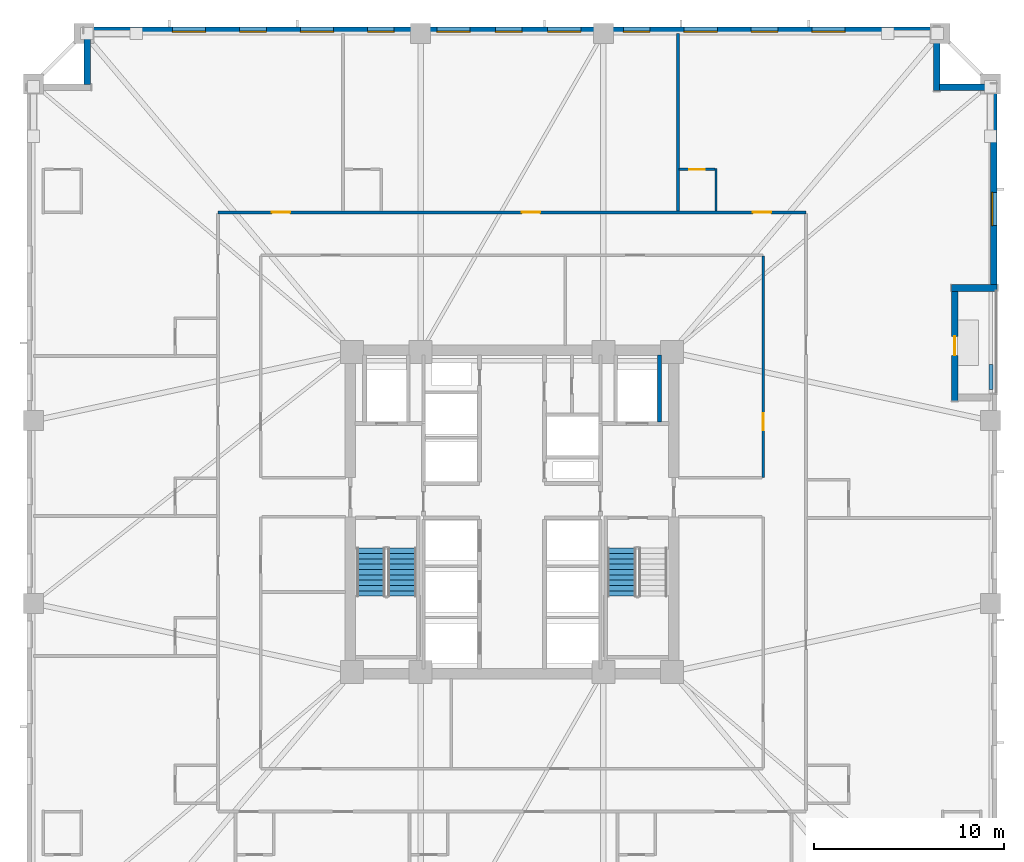
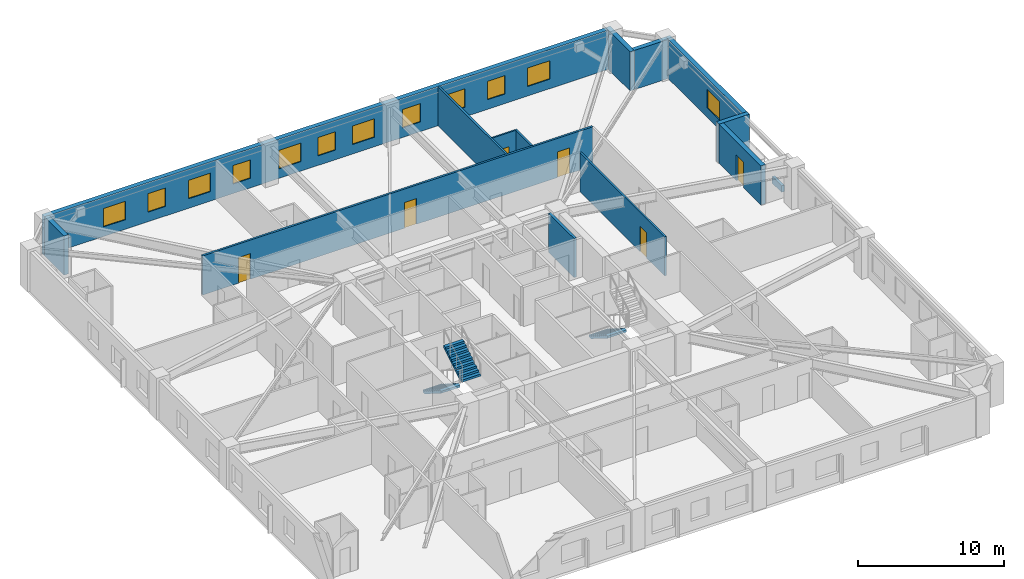
# One storey, part 6 of 11: 14 walls, 12 windows, 6 doors, 3 stair flights, 18 openings, 2 elements without a shape of their own.
"""IFC4 building model written with IfcOpenShell, lengths in metres."""

import ifcopenshell
import ifcopenshell.guid

model = None  # the IFC model being written
_history = None  # IfcOwnerHistory: only IFC2X3 demands one
_inside = {}  # id of a spatial element -> (the spatial element, [elements in it])
_under = {}  # id of a project, library or spatial element -> (it, [spatial elements below it])
_declared = {}  # id of a project -> (the project, [libraries it declares])
_typed = {}  # id of a type object -> (the type object, [elements of that type])
_made_of = {}  # id of a material, layer set ... -> (it, [elements and type objects made of it])


def new_model(schema):
    """Start an empty IFC model of exactly this schema.

    Asked for "IFC4X3", IfcOpenShell would pick the latest addendum, in which some entities
    have other attributes; the version numbers below select the first issue.
    IFC2X3 requires an IfcOwnerHistory on every rooted entity: one is made here for all.
    """
    global model, _history
    if schema == "IFC4X3":
        model = ifcopenshell.file(schema_version=(4, 3, 0, 0))
    else:
        model = ifcopenshell.file(schema=schema)
    _inside.clear()
    _under.clear()
    _declared.clear()
    _typed.clear()
    _made_of.clear()
    _history = None
    if model.schema == "IFC2X3":
        org = make("IfcOrganization", Name="unknown")
        user = make(
            "IfcPersonAndOrganization",
            ThePerson=make("IfcPerson", FamilyName="unknown"),
            TheOrganization=org,
        )
        app = make(
            "IfcApplication",
            ApplicationDeveloper=org,
            Version="unknown",
            ApplicationFullName="unknown",
            ApplicationIdentifier="unknown",
        )
        _history = make(
            "IfcOwnerHistory",
            OwningUser=user,
            OwningApplication=app,
            ChangeAction="ADDED",
            CreationDate=0,
        )
    return model


def make(cls, **values):
    """One entity of the class cls with the attributes given. An attribute that is None is left unset."""
    return model.create_entity(
        cls, **{name: value for name, value in values.items() if value is not None}
    )


def rooted(cls, **values):
    """An entity with a GlobalId (a new one), such as an element, a storey or a relation."""
    return make(cls, GlobalId=ifcopenshell.guid.new(), OwnerHistory=_history, **values)


def si_unit(unit_type, name, prefix=None):
    """IfcSIUnit, for example si_unit("LENGTHUNIT", "METRE", prefix="MILLI")."""
    return make("IfcSIUnit", UnitType=unit_type, Prefix=prefix, Name=name)


def assignment(units):
    """IfcUnitAssignment: the units of a project."""
    return None if units is None else make("IfcUnitAssignment", Units=units)


def point(xyz):
    """IfcCartesianPoint."""
    return None if xyz is None else make("IfcCartesianPoint", Coordinates=xyz)


def direction(xyz):
    """IfcDirection."""
    return None if xyz is None else make("IfcDirection", DirectionRatios=xyz)


def frame(location, z_axis=None, x_axis=None):
    """IfcAxis2Placement3D, a coordinate frame: its origin and axes. An axis left out is left unset."""
    return make(
        "IfcAxis2Placement3D",
        Location=point(location),
        Axis=direction(z_axis),
        RefDirection=direction(x_axis),
    )


def frame_2d(location, x_axis=None):
    """IfcAxis2Placement2D, a coordinate frame in the plane: its origin and x axis."""
    return make(
        "IfcAxis2Placement2D", Location=point(location), RefDirection=direction(x_axis)
    )


def origin():
    """The frame at (0, 0, 0) with its axes left unset."""
    return frame((0.0, 0.0, 0.0))


def place(relative_to, where):
    """IfcLocalPlacement: puts the frame where relative to a parent placement (None: the world)."""
    return make(
        "IfcLocalPlacement", PlacementRelTo=relative_to, RelativePlacement=where
    )


def context(
    kind, dimensions, precision=None, world=None, true_north=None, identifier=None
):
    """IfcGeometricRepresentationContext, for example the 3D "Model" context."""
    return make(
        "IfcGeometricRepresentationContext",
        ContextIdentifier=identifier,
        ContextType=kind,
        CoordinateSpaceDimension=dimensions,
        Precision=precision,
        WorldCoordinateSystem=world,
        TrueNorth=true_north,
    )


def subcontext(parent, identifier, kind, view, scale=None):
    """IfcGeometricRepresentationSubContext, for example "Body" below "Model"."""
    return make(
        "IfcGeometricRepresentationSubContext",
        ContextIdentifier=identifier,
        ContextType=kind,
        ParentContext=parent,
        TargetScale=scale,
        TargetView=view,
    )


def project(units=None, contexts=None):
    """IfcProject with its units and contexts."""
    return rooted(
        "IfcProject",
        Name="project",
        RepresentationContexts=contexts,
        UnitsInContext=assignment(units),
    )


def spatial(cls, under=None, at=None, **own):
    """A site, building, storey or space (cls), placed at a placement, below another one or the project."""
    s = rooted(cls, ObjectPlacement=at, **own)
    if under is not None:
        _under.setdefault(under.id(), (under, []))[1].append(s)
    return s


def polyline(points):
    """IfcPolyline through the points."""
    return make("IfcPolyline", Points=[point(p) for p in points])


def profile(cls, at=None, kind="AREA", **sizes):
    """A parametric profile (cls). Its sizes go by their IFC names, for example OverallWidth=200.0."""
    return make(cls, ProfileType=kind, Position=at, **sizes)


def rectangle(**sizes):
    """IfcRectangleProfileDef."""
    return profile("IfcRectangleProfileDef", **sizes)


def outline(outer, holes=None, kind="AREA"):
    """IfcArbitraryClosedProfileDef: a profile drawn as a closed curve; with holes, ...WithVoids."""
    if holes is None:
        return make("IfcArbitraryClosedProfileDef", ProfileType=kind, OuterCurve=outer)
    return make(
        "IfcArbitraryProfileDefWithVoids",
        ProfileType=kind,
        OuterCurve=outer,
        InnerCurves=holes,
    )


def extrude(swept, where, along, depth):
    """IfcExtrudedAreaSolid: the profile swept, set in the frame where, extruded along a direction by depth."""
    return make(
        "IfcExtrudedAreaSolid",
        SweptArea=swept,
        Position=where,
        ExtrudedDirection=direction(along),
        Depth=depth,
    )


def shape(context_of_items, identifier, shape_type, items):
    """IfcShapeRepresentation: the items that make up one representation, for example the "Body"."""
    return make(
        "IfcShapeRepresentation",
        ContextOfItems=context_of_items,
        RepresentationIdentifier=identifier,
        RepresentationType=shape_type,
        Items=items,
    )


def material(Name=None, Category=None):
    """IfcMaterial."""
    return make("IfcMaterial", Name=Name, Category=Category)


def layer(
    of_material, thickness, ventilated=None, Name=None, Category=None, Priority=None
):
    """IfcMaterialLayer: one layer of a wall or slab, of a material (None: an air gap)."""
    return make(
        "IfcMaterialLayer",
        Material=of_material,
        LayerThickness=thickness,
        IsVentilated=ventilated,
        Name=Name,
        Category=Category,
        Priority=Priority,
    )


def layer_set(layers, Name=None):
    """IfcMaterialLayerSet."""
    return make("IfcMaterialLayerSet", MaterialLayers=layers, LayerSetName=Name)


def made_of(thing, what):
    """Note that an element or type object is made of a material, layer set ...; save() writes the relation."""
    if what is not None:
        _made_of.setdefault(what.id(), (what, []))[1].append(thing)
    return thing


def type_object(cls, material=None, **own):
    """A type object (cls), such as IfcWallType, which elements share."""
    return made_of(rooted(cls, **own), material)


def element(
    cls,
    number,
    at=None,
    inside=None,
    cuts=None,
    type_object=None,
    material=None,
    context=None,
    identifier="Body",
    shape_type=None,
    held_by="IfcProductDefinitionShape",
    body=None,
    shapes=None,
    **own,
):
    """One element of the class cls, such as IfcWall. Its Tag is "e" and its number.

    at: its placement. inside: the storey or other place that contains it. cuts: it is an
    opening in that element (IfcRelVoidsElement). A single representation is given by context,
    identifier, shape_type and body (its items); several are given by shapes. held_by: the class
    of the entity that holds the representations. save() writes the other relations.
    """
    e = rooted(cls, Tag="e%d" % number, ObjectPlacement=at, **own)
    if body is not None:
        shapes = [shape(context, identifier, shape_type, body)]
    if shapes is not None:
        e.Representation = make(held_by, Representations=shapes)
    if inside is not None:
        _inside.setdefault(inside.id(), (inside, []))[1].append(e)
    if cuts is not None:
        rooted(
            "IfcRelVoidsElement", RelatingBuildingElement=cuts, RelatedOpeningElement=e
        )
    if type_object is not None:
        _typed.setdefault(type_object.id(), (type_object, []))[1].append(e)
    return made_of(e, material)


def fill(opening, filler):
    """IfcRelFillsElement: the door or window that sits in an opening."""
    return rooted(
        "IfcRelFillsElement",
        RelatingOpeningElement=opening,
        RelatedBuildingElement=filler,
    )


def aggregate(whole, parts):
    """IfcRelAggregates: a whole, such as a stair, and the parts it consists of."""
    return rooted("IfcRelAggregates", RelatingObject=whole, RelatedObjects=parts)


def save(model, path):
    """Write the relations noted so far, then the file.

    IfcRelAggregates (storeys below a building ...), IfcRelContainedInSpatialStructure (elements
    in a storey), IfcRelDefinesByType, IfcRelAssociatesMaterial and IfcRelDeclares: one each for
    every whole, place, type object, material and project.
    """
    for whole, parts in _under.values():
        aggregate(whole, parts)
    for where, things in _inside.values():
        rooted(
            "IfcRelContainedInSpatialStructure",
            RelatedElements=things,
            RelatingStructure=where,
        )
    for kind, things in _typed.values():
        rooted("IfcRelDefinesByType", RelatedObjects=things, RelatingType=kind)
    for what, things in _made_of.values():
        rooted("IfcRelAssociatesMaterial", RelatedObjects=things, RelatingMaterial=what)
    for by, libraries in _declared.values():
        rooted("IfcRelDeclares", RelatingContext=by, RelatedDefinitions=libraries)
    model.write(path)


model = new_model("IFC4")

# Units and contexts
model_context = context("Model", 3, precision=1e-05, world=origin(), true_north=direction((0.0, 1.0)))
body_context = subcontext(model_context, "Body", "Model", "MODEL_VIEW")
ifc_project = project(units=[si_unit("LENGTHUNIT", "METRE"), si_unit("AREAUNIT", "SQUARE_METRE"), si_unit("VOLUMEUNIT", "CUBIC_METRE"), si_unit("PLANEANGLEUNIT", "RADIAN"), si_unit("MASSUNIT", "GRAM", prefix="KILO")], contexts=[model_context])

# Site, building, storey
site_placement = place(None, origin())
site = spatial("IfcSite", under=ifc_project, at=site_placement, CompositionType="ELEMENT")
building_placement = place(site_placement, origin())
building = spatial("IfcBuilding", under=site, at=building_placement, Name="Cairnveth Concourse Tower", CompositionType="ELEMENT")
storey_placement = place(building_placement, frame((0.0, 0.0, 79.5)))
storey = spatial("IfcBuildingStorey", under=building, at=storey_placement, Name="L21", CompositionType="ELEMENT", Elevation=79.5)

# Wall, openings, doors
ifc_material_1 = material(Name="Gypsum Plasterboard Partition", Category="gypsum")
ifc_layer_1 = layer(ifc_material_1, 0.159912109375)
ifc_layer_set_1 = layer_set([ifc_layer_1], Name="Gypsum Plasterboard Partition")
wall_type_1 = type_object("IfcWallType", Name="ACOUSTIC PARTY WALL 180", PredefinedType="PARTITIONING", material=ifc_layer_set_1)
wall_1_placement = place(storey_placement, frame((36.550048828125, 54.75, 0.0), z_axis=(0.0, 0.0, 1.0), x_axis=(1.0, 0.0, 0.0)))
wall_1 = element("IfcWall", 1, at=wall_1_placement, inside=storey, type_object=wall_type_1, Name="Interior Wall IW-L21-039", PredefinedType="PARTITIONING", context=body_context, shape_type="SweptSolid", body=[
    extrude(rectangle(XDim=30.89990234375, YDim=0.159912109375, at=frame_2d((15.449951171875, 0.0))), origin(), (0.0, 0.0, 1.0), 3.280029296875),
])
opening_1_placement = place(wall_1_placement, frame((2.830078125, 0.0, 0.0)))
opening_1 = element("IfcOpeningElement", 2, at=opening_1_placement, cuts=wall_1, Name="Opening ID09", PredefinedType="OPENING", context=body_context, shape_type="SweptSolid", body=[
    extrude(rectangle(XDim=0.9599609375, YDim=2.14990234375, at=frame_2d((0.47998046875, 1.074951171875))), frame((0.0, 0.08984375, 0.0), z_axis=(0.0, -1.0, 0.0), x_axis=(1.0, 0.0, 0.0)), (0.0, 0.0, 1.0), 0.179931640625),
])
opening_2_placement = place(wall_1_placement, frame((15.965087890625, 0.0, 0.0)))
opening_2 = element("IfcOpeningElement", 3, at=opening_2_placement, cuts=wall_1, Name="Opening ID09", PredefinedType="OPENING", context=body_context, shape_type="SweptSolid", body=[
    extrude(rectangle(XDim=0.9599609375, YDim=2.14990234375, at=frame_2d((0.47998046875, 1.074951171875))), frame((0.0, 0.08984375, 0.0), z_axis=(0.0, -1.0, 0.0), x_axis=(1.0, 0.0, 0.0)), (0.0, 0.0, 1.0), 0.179931640625),
])
opening_3_placement = place(wall_1_placement, frame((28.10498046875, 0.0, 0.0)))
opening_3 = element("IfcOpeningElement", 4, at=opening_3_placement, cuts=wall_1, Name="Opening ID09", PredefinedType="OPENING", context=body_context, shape_type="SweptSolid", body=[
    extrude(rectangle(XDim=0.9599609375, YDim=2.14990234375, at=frame_2d((0.47998046875, 1.074951171875))), frame((0.0, 0.08984375, 0.0), z_axis=(0.0, -1.0, 0.0), x_axis=(1.0, 0.0, 0.0)), (0.0, 0.0, 1.0), 0.179931640625),
])
ifc_material_2 = material(Name="Solid Core Hardwood Timber Leaf", Category="wood")
door_type_1 = type_object("IfcDoorType", Name="HOTEL ENTRANCE DOOR 960X2150", OperationType="NOTDEFINED", PredefinedType="DOOR", material=ifc_material_2)
door_1_placement = place(opening_1_placement, origin())
door_1 = element("IfcDoor", 5, at=door_1_placement, inside=storey, type_object=door_type_1, Name="Hotel Room Door L21-N1", OperationType="SINGLE_SWING_RIGHT", OverallHeight=2.14990234375, OverallWidth=0.9599609375, PredefinedType="DOOR", context=body_context, shape_type="SweptSolid", body=[
    extrude(rectangle(XDim=0.9599609375, YDim=2.14990234375, at=frame_2d((0.47998046875, 1.074951171875))), frame((0.0, 0.02490234375, 0.0), z_axis=(0.0, -1.0, 0.0), x_axis=(1.0, 0.0, 0.0)), (0.0, 0.0, 1.0), 0.050048828125),
])
fill(opening_1, door_1)
door_2_placement = place(opening_2_placement, origin())
door_2 = element("IfcDoor", 6, at=door_2_placement, inside=storey, type_object=door_type_1, Name="Hotel Room Door L21-N2", OperationType="SINGLE_SWING_RIGHT", OverallHeight=2.14990234375, OverallWidth=0.9599609375, PredefinedType="DOOR", context=body_context, shape_type="SweptSolid", body=[
    extrude(rectangle(XDim=0.9599609375, YDim=2.14990234375, at=frame_2d((0.47998046875, 1.074951171875))), frame((0.0, 0.02490234375, 0.0), z_axis=(0.0, -1.0, 0.0), x_axis=(1.0, 0.0, 0.0)), (0.0, 0.0, 1.0), 0.050048828125),
])
fill(opening_2, door_2)
door_3_placement = place(opening_3_placement, origin())
door_3 = element("IfcDoor", 7, at=door_3_placement, inside=storey, type_object=door_type_1, Name="Hotel Room Door L21-N3", OperationType="SINGLE_SWING_RIGHT", OverallHeight=2.14990234375, OverallWidth=0.9599609375, PredefinedType="DOOR", context=body_context, shape_type="SweptSolid", body=[
    extrude(rectangle(XDim=0.9599609375, YDim=2.14990234375, at=frame_2d((0.47998046875, 1.074951171875))), frame((0.0, 0.02490234375, 0.0), z_axis=(0.0, -1.0, 0.0), x_axis=(1.0, 0.0, 0.0)), (0.0, 0.0, 1.0), 0.050048828125),
])
fill(opening_3, door_3)

# Walls
wall_2_placement = place(storey_placement, frame((60.719970703125, 54.81494140625, 0.0), z_axis=(0.0, 0.0, 1.0), x_axis=(0.0, 1.0, 0.0)))
element("IfcWall", 8, at=wall_2_placement, inside=storey, type_object=wall_type_1, Name="Interior Wall IW-L21-080", PredefinedType="PARTITIONING", context=body_context, shape_type="SweptSolid", body=[
    extrude(rectangle(XDim=9.340087890625, YDim=0.159912109375, at=frame_2d((4.669921875, 0.0))), origin(), (0.0, 0.0, 1.0), 3.280029296875),
])
ifc_material_3 = material(Name="Concrete N50 (50 MPa)", Category="concrete")
ifc_layer_2 = layer(ifc_material_3, 0.199951171875)
ifc_layer_set_2 = layer_set([ifc_layer_2], Name="Concrete N50 (50 MPa)")
wall_type_2 = type_object("IfcWallType", Name="FIRE SHAFT WALL 200", PredefinedType="SOLIDWALL", material=ifc_layer_set_2)
wall_3_placement = place(storey_placement, frame((59.75, 43.735107421875, 0.0), z_axis=(0.0, 0.0, 1.0), x_axis=(0.0, 1.0, 0.0)))
element("IfcWall", 9, at=wall_3_placement, inside=storey, type_object=wall_type_2, Name="Interior Wall IW-L21-024", PredefinedType="SOLIDWALL", context=body_context, shape_type="SweptSolid", body=[
    extrude(rectangle(XDim=3.5048828125, YDim=0.199951171875, at=frame_2d((1.75244140625, 0.0))), origin(), (0.0, 0.0, 1.0), 3.280029296875),
])

# Wall, opening, door
ifc_layer_3 = layer(ifc_material_1, 0.139892578125)
ifc_layer_set_3 = layer_set([ifc_layer_3], Name="Gypsum Plasterboard Partition")
wall_type_3 = type_object("IfcWallType", Name="GYPSUM STUD PARTITION 140", PredefinedType="PARTITIONING", material=ifc_layer_set_3)
wall_4_placement = place(storey_placement, frame((65.199951171875, 40.800048828125, 0.0), z_axis=(0.0, 0.0, 1.0), x_axis=(0.0, 1.0, 0.0)))
wall_4 = element("IfcWall", 10, at=wall_4_placement, inside=storey, type_object=wall_type_3, Name="Interior Wall IW-L21-049", PredefinedType="PARTITIONING", context=body_context, shape_type="SweptSolid", body=[
    extrude(rectangle(XDim=11.64501953125, YDim=0.139892578125, at=frame_2d((5.822509765625, 0.0))), origin(), (0.0, 0.0, 1.0), 3.280029296875),
])
opening_4_placement = place(wall_4_placement, frame((2.5, 0.0, 0.0)))
opening_4 = element("IfcOpeningElement", 11, at=opening_4_placement, cuts=wall_4, Name="Opening ID18", PredefinedType="OPENING", context=body_context, shape_type="SweptSolid", body=[
    extrude(rectangle(XDim=0.8798828125, YDim=2.10009765625, at=frame_2d((0.43994140625, 1.050048828125))), frame((0.0, 0.079833984375, 0.0), z_axis=(0.0, -1.0, 0.0), x_axis=(1.0, 0.0, 0.0)), (0.0, 0.0, 1.0), 0.159912109375),
])
door_type_2 = type_object("IfcDoorType", Name="INTERIOR SINGLE DOOR 880X2100", OperationType="NOTDEFINED", PredefinedType="DOOR", material=ifc_material_2)
door_4_placement = place(opening_4_placement, origin())
door_4 = element("IfcDoor", 12, at=door_4_placement, inside=storey, type_object=door_type_2, Name="Interior Door DR-L21-022", OperationType="SINGLE_SWING_RIGHT", OverallHeight=2.10009765625, OverallWidth=0.8798828125, PredefinedType="DOOR", context=body_context, shape_type="SweptSolid", body=[
    extrude(rectangle(XDim=0.8798828125, YDim=2.10009765625, at=frame_2d((0.43994140625, 1.050048828125))), frame((0.0, 0.02490234375, 0.0), z_axis=(0.0, -1.0, 0.0), x_axis=(1.0, 0.0, 0.0)), (0.0, 0.0, 1.0), 0.050048828125),
])
fill(opening_4, door_4)

# Walls
ifc_material_4 = material(Name="Dressed Melbourne Bluestone Cladding", Category="masonry")
ifc_layer_4 = layer(ifc_material_4, 0.219970703125)
ifc_layer_set_4 = layer_set([ifc_layer_4], Name="Dressed Melbourne Bluestone Cladding")
wall_type_4 = type_object("IfcWallType", Name="TERRACE PLANTER CURB WALL 220", PredefinedType="PARAPET", material=ifc_layer_set_4)
wall_5_placement = place(storey_placement, frame((77.179931640625, 45.449951171875, 0.0), z_axis=(0.0, 0.0, 1.0), x_axis=(0.0, 1.0, 0.0)))
element("IfcWall", 13, at=wall_5_placement, inside=storey, type_object=wall_type_4, Name="Exterior Wall PLNT-L21-TERR", PredefinedType="PARAPET", context=body_context, shape_type="SweptSolid", body=[
    extrude(rectangle(XDim=1.300048828125, YDim=0.219970703125, at=frame_2d((0.64990234375, 0.0))), origin(), (0.0, 0.0, 1.0), 0.550048828125),
])
ifc_layer_5 = layer(ifc_material_1, 0.1298828125)
ifc_layer_set_5 = layer_set([ifc_layer_5], Name="Gypsum Plasterboard Partition")
wall_type_5 = type_object("IfcWallType", Name="WET AREA PARTITION 140", PredefinedType="PLUMBINGWALL", material=ifc_layer_set_5)
wall_6_placement = place(storey_placement, frame((62.719970703125, 54.81494140625, 0.0), z_axis=(0.0, 0.0, 1.0), x_axis=(0.0, 1.0, 0.0)))
element("IfcWall", 14, at=wall_6_placement, inside=storey, type_object=wall_type_5, Name="Interior Wall IW-L21-081", PredefinedType="PLUMBINGWALL", context=body_context, shape_type="SweptSolid", body=[
    extrude(rectangle(XDim=2.235107421875, YDim=0.1298828125, at=frame_2d((1.11767578125, 0.0))), origin(), (0.0, 0.0, 1.0), 3.280029296875),
])

# Wall, opening, door
wall_7_placement = place(storey_placement, frame((60.784912109375, 57.0, 0.0), z_axis=(0.0, 0.0, 1.0), x_axis=(1.0, 0.0, 0.0)))
wall_7 = element("IfcWall", 15, at=wall_7_placement, inside=storey, type_object=wall_type_5, Name="Interior Wall IW-L21-082", PredefinedType="PLUMBINGWALL", context=body_context, shape_type="SweptSolid", body=[
    extrude(rectangle(XDim=1.885009765625, YDim=0.1298828125, at=frame_2d((0.9423828125, 0.0))), origin(), (0.0, 0.0, 1.0), 3.280029296875),
])
opening_5_placement = place(wall_7_placement, frame((0.52490234375, 0.0, 0.0)))
opening_5 = element("IfcOpeningElement", 16, at=opening_5_placement, cuts=wall_7, Name="Opening ID22", PredefinedType="OPENING", context=body_context, shape_type="SweptSolid", body=[
    extrude(rectangle(XDim=0.820068359375, YDim=2.10009765625, at=frame_2d((0.41015625, 1.050048828125))), frame((0.0, 0.074951171875, 0.0), z_axis=(0.0, -1.0, 0.0), x_axis=(1.0, 0.0, 0.0)), (0.0, 0.0, 1.0), 0.14990234375),
])
door_type_3 = type_object("IfcDoorType", Name="INTERIOR WC DOOR 820X2100", OperationType="NOTDEFINED", PredefinedType="DOOR", material=ifc_material_2)
door_5_placement = place(opening_5_placement, origin())
door_5 = element("IfcDoor", 17, at=door_5_placement, inside=storey, type_object=door_type_3, Name="En-Suite Door L21-N3", OperationType="SINGLE_SWING_LEFT", OverallHeight=2.10009765625, OverallWidth=0.820068359375, PredefinedType="DOOR", context=body_context, shape_type="SweptSolid", body=[
    extrude(rectangle(XDim=0.820068359375, YDim=2.10009765625, at=frame_2d((0.41015625, 1.050048828125))), frame((0.0, 0.02490234375, 0.0), z_axis=(0.0, -1.0, 0.0), x_axis=(1.0, 0.0, 0.0)), (0.0, 0.0, 1.0), 0.050048828125),
])
fill(opening_5, door_5)

# Wall
ifc_material_5 = material(Name="Hawthorn Red-Ochre Fired Clay Brick Masonry", Category="masonry")
ifc_layer_6 = layer(ifc_material_5, 0.360107421875)
ifc_layer_set_6 = layer_set([ifc_layer_6], Name="Hawthorn Red-Ochre Fired Clay Brick Masonry")
wall_type_6 = type_object("IfcWallType", Name="ZONE 1 BRICK PIER SPANDREL WALL 360", PredefinedType="SOLIDWALL", material=ifc_layer_set_6)
wall_8_placement = place(storey_placement, frame((29.679931640625, 61.47802734375, 0.0), z_axis=(0.0, 0.0, 1.0), x_axis=(0.0, 1.0, 0.0)))
element("IfcWall", 18, at=wall_8_placement, inside=storey, type_object=wall_type_6, Name="Exterior Wall EW-L21-S08", PredefinedType="SOLIDWALL", context=body_context, shape_type="SweptSolid", body=[
    extrude(rectangle(XDim=2.68408203125, YDim=0.360107421875, at=frame_2d((1.342041015625, 0.0))), origin(), (0.0, 0.0, 1.0), 3.280029296875),
])

# Wall, openings, windows
wall_9_placement = place(storey_placement, frame((29.5, 64.320068359375, 0.0), z_axis=(0.0, 0.0, 1.0), x_axis=(1.0, 0.0, 0.0)))
wall_9 = element("IfcWall", 19, at=wall_9_placement, inside=storey, type_object=wall_type_6, Name="Exterior Wall EW-L21-S09", PredefinedType="SOLIDWALL", context=body_context, shape_type="SweptSolid", body=[
    extrude(rectangle(XDim=44.662109375, YDim=0.360107421875, at=frame_2d((22.3310546875, 0.0))), origin(), (0.0, 0.0, 1.0), 3.280029296875),
])
opening_6_placement = place(wall_9_placement, frame((4.655029296875, 0.0, 0.800048828125)))
opening_6 = element("IfcOpeningElement", 20, at=opening_6_placement, cuts=wall_9, Name="Opening W06", PredefinedType="OPENING", context=body_context, shape_type="SweptSolid", body=[
    extrude(rectangle(XDim=1.75, YDim=1.5439453125, at=frame_2d((0.875, 0.77197265625))), frame((0.0, 0.18994140625, 0.0), z_axis=(0.0, -1.0, 0.0), x_axis=(1.0, 0.0, 0.0)), (0.0, 0.0, 1.0), 0.380126953125),
])
opening_7_placement = place(wall_9_placement, frame((8.190185546875, 0.0, 0.800048828125)))
opening_7 = element("IfcOpeningElement", 21, at=opening_7_placement, cuts=wall_9, Name="Opening W05", PredefinedType="OPENING", context=body_context, shape_type="SweptSolid", body=[
    extrude(rectangle(XDim=1.39990234375, YDim=1.5439453125, at=frame_2d((0.699951171875, 0.77197265625))), frame((0.0, 0.18994140625, 0.0), z_axis=(0.0, -1.0, 0.0), x_axis=(1.0, 0.0, 0.0)), (0.0, 0.0, 1.0), 0.380126953125),
])
opening_8_placement = place(wall_9_placement, frame((11.37548828125, 0.0, 0.800048828125)))
opening_8 = element("IfcOpeningElement", 22, at=opening_8_placement, cuts=wall_9, Name="Opening W06", PredefinedType="OPENING", context=body_context, shape_type="SweptSolid", body=[
    extrude(rectangle(XDim=1.75, YDim=1.5439453125, at=frame_2d((0.875, 0.77197265625))), frame((0.0, 0.18994140625, 0.0), z_axis=(0.0, -1.0, 0.0), x_axis=(1.0, 0.0, 0.0)), (0.0, 0.0, 1.0), 0.380126953125),
])
opening_9_placement = place(wall_9_placement, frame((14.91064453125, 0.0, 0.800048828125)))
opening_9 = element("IfcOpeningElement", 23, at=opening_9_placement, cuts=wall_9, Name="Opening W05", PredefinedType="OPENING", context=body_context, shape_type="SweptSolid", body=[
    extrude(rectangle(XDim=1.39990234375, YDim=1.5439453125, at=frame_2d((0.699951171875, 0.77197265625))), frame((0.0, 0.18994140625, 0.0), z_axis=(0.0, -1.0, 0.0), x_axis=(1.0, 0.0, 0.0)), (0.0, 0.0, 1.0), 0.380126953125),
])
opening_10_placement = place(wall_9_placement, frame((18.5458984375, 0.0, 0.800048828125)))
opening_10 = element("IfcOpeningElement", 24, at=opening_10_placement, cuts=wall_9, Name="Opening W06", PredefinedType="OPENING", context=body_context, shape_type="SweptSolid", body=[
    extrude(rectangle(XDim=1.75, YDim=1.5439453125, at=frame_2d((0.875, 0.77197265625))), frame((0.0, 0.18994140625, 0.0), z_axis=(0.0, -1.0, 0.0), x_axis=(1.0, 0.0, 0.0)), (0.0, 0.0, 1.0), 0.380126953125),
])
opening_11_placement = place(wall_9_placement, frame((21.631103515625, 0.0, 0.800048828125)))
opening_11 = element("IfcOpeningElement", 25, at=opening_11_placement, cuts=wall_9, Name="Opening W05", PredefinedType="OPENING", context=body_context, shape_type="SweptSolid", body=[
    extrude(rectangle(XDim=1.39990234375, YDim=1.5439453125, at=frame_2d((0.699951171875, 0.77197265625))), frame((0.0, 0.18994140625, 0.0), z_axis=(0.0, -1.0, 0.0), x_axis=(1.0, 0.0, 0.0)), (0.0, 0.0, 1.0), 0.380126953125),
])
opening_12_placement = place(wall_9_placement, frame((24.3662109375, 0.0, 0.800048828125)))
opening_12 = element("IfcOpeningElement", 26, at=opening_12_placement, cuts=wall_9, Name="Opening W06", PredefinedType="OPENING", context=body_context, shape_type="SweptSolid", body=[
    extrude(rectangle(XDim=1.75, YDim=1.5439453125, at=frame_2d((0.875, 0.77197265625))), frame((0.0, 0.18994140625, 0.0), z_axis=(0.0, -1.0, 0.0), x_axis=(1.0, 0.0, 0.0)), (0.0, 0.0, 1.0), 0.380126953125),
])
opening_13_placement = place(wall_9_placement, frame((28.351318359375, 0.0, 0.800048828125)))
opening_13 = element("IfcOpeningElement", 27, at=opening_13_placement, cuts=wall_9, Name="Opening W05", PredefinedType="OPENING", context=body_context, shape_type="SweptSolid", body=[
    extrude(rectangle(XDim=1.39990234375, YDim=1.5439453125, at=frame_2d((0.699951171875, 0.77197265625))), frame((0.0, 0.18994140625, 0.0), z_axis=(0.0, -1.0, 0.0), x_axis=(1.0, 0.0, 0.0)), (0.0, 0.0, 1.0), 0.380126953125),
])
opening_14_placement = place(wall_9_placement, frame((31.53662109375, 0.0, 0.800048828125)))
opening_14 = element("IfcOpeningElement", 28, at=opening_14_placement, cuts=wall_9, Name="Opening W06", PredefinedType="OPENING", context=body_context, shape_type="SweptSolid", body=[
    extrude(rectangle(XDim=1.75, YDim=1.5439453125, at=frame_2d((0.875, 0.77197265625))), frame((0.0, 0.18994140625, 0.0), z_axis=(0.0, -1.0, 0.0), x_axis=(1.0, 0.0, 0.0)), (0.0, 0.0, 1.0), 0.380126953125),
])
opening_15_placement = place(wall_9_placement, frame((35.07177734375, 0.0, 0.800048828125)))
opening_15 = element("IfcOpeningElement", 29, at=opening_15_placement, cuts=wall_9, Name="Opening W05", PredefinedType="OPENING", context=body_context, shape_type="SweptSolid", body=[
    extrude(rectangle(XDim=1.39990234375, YDim=1.5439453125, at=frame_2d((0.699951171875, 0.77197265625))), frame((0.0, 0.18994140625, 0.0), z_axis=(0.0, -1.0, 0.0), x_axis=(1.0, 0.0, 0.0)), (0.0, 0.0, 1.0), 0.380126953125),
])
opening_16_placement = place(wall_9_placement, frame((38.2568359375, 0.0, 0.800048828125)))
opening_16 = element("IfcOpeningElement", 30, at=opening_16_placement, cuts=wall_9, Name="Opening W06", PredefinedType="OPENING", context=body_context, shape_type="SweptSolid", body=[
    extrude(rectangle(XDim=1.75, YDim=1.5439453125, at=frame_2d((0.875, 0.77197265625))), frame((0.0, 0.18994140625, 0.0), z_axis=(0.0, -1.0, 0.0), x_axis=(1.0, 0.0, 0.0)), (0.0, 0.0, 1.0), 0.380126953125),
])
ifc_material_6 = material(Name="Double Glazed Low-E Clear Glass", Category="glass")
window_type_1 = type_object("IfcWindowType", Name="DEEP-SET HOTEL CASEMENT WINDOW 1400X1750", PartitioningType="DOUBLE_PANEL_VERTICAL", PredefinedType="WINDOW", material=ifc_material_6)
window_1_placement = place(opening_7_placement, origin())
window_1 = element("IfcWindow", 31, at=window_1_placement, inside=storey, type_object=window_type_1, Name="Gothic Lancet Window L21-9-2", OverallHeight=1.5439453125, OverallWidth=1.39990234375, PartitioningType="SINGLE_PANEL", PredefinedType="WINDOW", context=body_context, shape_type="SweptSolid", body=[
    extrude(rectangle(XDim=1.39990234375, YDim=1.5439453125, at=frame_2d((0.699951171875, 0.77197265625))), frame((0.0, -0.050048828125, 0.0), z_axis=(0.0, -1.0, 0.0), x_axis=(1.0, 0.0, 0.0)), (0.0, 0.0, 1.0), 0.06005859375),
])
fill(opening_7, window_1)
window_2_placement = place(opening_9_placement, origin())
window_2 = element("IfcWindow", 32, at=window_2_placement, inside=storey, type_object=window_type_1, Name="Gothic Lancet Window L21-9-4", OverallHeight=1.5439453125, OverallWidth=1.39990234375, PartitioningType="SINGLE_PANEL", PredefinedType="WINDOW", context=body_context, shape_type="SweptSolid", body=[
    extrude(rectangle(XDim=1.39990234375, YDim=1.5439453125, at=frame_2d((0.699951171875, 0.77197265625))), frame((0.0, -0.050048828125, 0.0), z_axis=(0.0, -1.0, 0.0), x_axis=(1.0, 0.0, 0.0)), (0.0, 0.0, 1.0), 0.06005859375),
])
fill(opening_9, window_2)
window_3_placement = place(opening_11_placement, origin())
window_3 = element("IfcWindow", 33, at=window_3_placement, inside=storey, type_object=window_type_1, Name="Gothic Lancet Window L21-9-6", OverallHeight=1.5439453125, OverallWidth=1.39990234375, PartitioningType="SINGLE_PANEL", PredefinedType="WINDOW", context=body_context, shape_type="SweptSolid", body=[
    extrude(rectangle(XDim=1.39990234375, YDim=1.5439453125, at=frame_2d((0.699951171875, 0.77197265625))), frame((0.0, -0.050048828125, 0.0), z_axis=(0.0, -1.0, 0.0), x_axis=(1.0, 0.0, 0.0)), (0.0, 0.0, 1.0), 0.06005859375),
])
fill(opening_11, window_3)
window_4_placement = place(opening_13_placement, origin())
window_4 = element("IfcWindow", 34, at=window_4_placement, inside=storey, type_object=window_type_1, Name="Gothic Lancet Window L21-9-8", OverallHeight=1.5439453125, OverallWidth=1.39990234375, PartitioningType="SINGLE_PANEL", PredefinedType="WINDOW", context=body_context, shape_type="SweptSolid", body=[
    extrude(rectangle(XDim=1.39990234375, YDim=1.5439453125, at=frame_2d((0.699951171875, 0.77197265625))), frame((0.0, -0.050048828125, 0.0), z_axis=(0.0, -1.0, 0.0), x_axis=(1.0, 0.0, 0.0)), (0.0, 0.0, 1.0), 0.06005859375),
])
fill(opening_13, window_4)
window_5_placement = place(opening_15_placement, origin())
window_5 = element("IfcWindow", 35, at=window_5_placement, inside=storey, type_object=window_type_1, Name="Gothic Lancet Window L21-9-10", OverallHeight=1.5439453125, OverallWidth=1.39990234375, PartitioningType="SINGLE_PANEL", PredefinedType="WINDOW", context=body_context, shape_type="SweptSolid", body=[
    extrude(rectangle(XDim=1.39990234375, YDim=1.5439453125, at=frame_2d((0.699951171875, 0.77197265625))), frame((0.0, -0.050048828125, 0.0), z_axis=(0.0, -1.0, 0.0), x_axis=(1.0, 0.0, 0.0)), (0.0, 0.0, 1.0), 0.06005859375),
])
fill(opening_15, window_5)
window_type_2 = type_object("IfcWindowType", Name="DEEP-SET HOTEL SUITE WINDOW 1750X1800", PartitioningType="DOUBLE_PANEL_VERTICAL", PredefinedType="WINDOW", material=ifc_material_6)
window_6_placement = place(opening_6_placement, origin())
window_6 = element("IfcWindow", 36, at=window_6_placement, inside=storey, type_object=window_type_2, Name="Gothic Lancet Window L21-9-1", OverallHeight=1.5439453125, OverallWidth=1.75, PartitioningType="SINGLE_PANEL", PredefinedType="WINDOW", context=body_context, shape_type="SweptSolid", body=[
    extrude(rectangle(XDim=1.75, YDim=1.5439453125, at=frame_2d((0.875, 0.77197265625))), frame((0.0, -0.050048828125, 0.0), z_axis=(0.0, -1.0, 0.0), x_axis=(1.0, 0.0, 0.0)), (0.0, 0.0, 1.0), 0.06005859375),
])
fill(opening_6, window_6)
window_7_placement = place(opening_8_placement, origin())
window_7 = element("IfcWindow", 37, at=window_7_placement, inside=storey, type_object=window_type_2, Name="Gothic Lancet Window L21-9-3", OverallHeight=1.5439453125, OverallWidth=1.75, PartitioningType="SINGLE_PANEL", PredefinedType="WINDOW", context=body_context, shape_type="SweptSolid", body=[
    extrude(rectangle(XDim=1.75, YDim=1.5439453125, at=frame_2d((0.875, 0.77197265625))), frame((0.0, -0.050048828125, 0.0), z_axis=(0.0, -1.0, 0.0), x_axis=(1.0, 0.0, 0.0)), (0.0, 0.0, 1.0), 0.06005859375),
])
fill(opening_8, window_7)
window_8_placement = place(opening_10_placement, origin())
window_8 = element("IfcWindow", 38, at=window_8_placement, inside=storey, type_object=window_type_2, Name="Gothic Lancet Window L21-9-5", OverallHeight=1.5439453125, OverallWidth=1.75, PartitioningType="SINGLE_PANEL", PredefinedType="WINDOW", context=body_context, shape_type="SweptSolid", body=[
    extrude(rectangle(XDim=1.75, YDim=1.5439453125, at=frame_2d((0.875, 0.77197265625))), frame((0.0, -0.050048828125, 0.0), z_axis=(0.0, -1.0, 0.0), x_axis=(1.0, 0.0, 0.0)), (0.0, 0.0, 1.0), 0.06005859375),
])
fill(opening_10, window_8)
window_9_placement = place(opening_12_placement, origin())
window_9 = element("IfcWindow", 39, at=window_9_placement, inside=storey, type_object=window_type_2, Name="Gothic Lancet Window L21-9-7", OverallHeight=1.5439453125, OverallWidth=1.75, PartitioningType="SINGLE_PANEL", PredefinedType="WINDOW", context=body_context, shape_type="SweptSolid", body=[
    extrude(rectangle(XDim=1.75, YDim=1.5439453125, at=frame_2d((0.875, 0.77197265625))), frame((0.0, -0.050048828125, 0.0), z_axis=(0.0, -1.0, 0.0), x_axis=(1.0, 0.0, 0.0)), (0.0, 0.0, 1.0), 0.06005859375),
])
fill(opening_12, window_9)
window_10_placement = place(opening_14_placement, origin())
window_10 = element("IfcWindow", 40, at=window_10_placement, inside=storey, type_object=window_type_2, Name="Gothic Lancet Window L21-9-9", OverallHeight=1.5439453125, OverallWidth=1.75, PartitioningType="SINGLE_PANEL", PredefinedType="WINDOW", context=body_context, shape_type="SweptSolid", body=[
    extrude(rectangle(XDim=1.75, YDim=1.5439453125, at=frame_2d((0.875, 0.77197265625))), frame((0.0, -0.050048828125, 0.0), z_axis=(0.0, -1.0, 0.0), x_axis=(1.0, 0.0, 0.0)), (0.0, 0.0, 1.0), 0.06005859375),
])
fill(opening_14, window_10)
window_11_placement = place(opening_16_placement, origin())
window_11 = element("IfcWindow", 41, at=window_11_placement, inside=storey, type_object=window_type_2, Name="Gothic Lancet Window L21-9-11", OverallHeight=1.5439453125, OverallWidth=1.75, PartitioningType="SINGLE_PANEL", PredefinedType="WINDOW", context=body_context, shape_type="SweptSolid", body=[
    extrude(rectangle(XDim=1.75, YDim=1.5439453125, at=frame_2d((0.875, 0.77197265625))), frame((0.0, -0.050048828125, 0.0), z_axis=(0.0, -1.0, 0.0), x_axis=(1.0, 0.0, 0.0)), (0.0, 0.0, 1.0), 0.06005859375),
])
fill(opening_16, window_11)

# Walls
wall_10_placement = place(storey_placement, frame((74.320068359375, 64.5, 0.0), z_axis=(0.0, 0.0, 1.0), x_axis=(0.0, -1.0, 0.0)))
element("IfcWall", 42, at=wall_10_placement, inside=storey, type_object=wall_type_6, Name="Exterior Wall EW-L21-S10", PredefinedType="SOLIDWALL", context=body_context, shape_type="SweptSolid", body=[
    extrude(rectangle(XDim=3.360107421875, YDim=0.360107421875, at=frame_2d((1.68017578125, 0.0))), origin(), (0.0, 0.0, 1.0), 3.280029296875),
])
wall_11_placement = place(storey_placement, frame((74.47802734375, 61.320068359375, 0.0), z_axis=(0.0, 0.0, 1.0), x_axis=(1.0, 0.0, 0.0)))
element("IfcWall", 43, at=wall_11_placement, inside=storey, type_object=wall_type_6, Name="Exterior Wall EW-L21-S11", PredefinedType="SOLIDWALL", context=body_context, shape_type="SweptSolid", body=[
    extrude(rectangle(XDim=2.68408203125, YDim=0.360107421875, at=frame_2d((1.342041015625, 0.0))), origin(), (0.0, 0.0, 1.0), 3.280029296875),
])

# Wall, opening, window
wall_12_placement = place(storey_placement, frame((77.320068359375, 61.5, 0.0), z_axis=(0.0, 0.0, 1.0), x_axis=(0.0, -1.0, 0.0)))
wall_12 = element("IfcWall", 44, at=wall_12_placement, inside=storey, type_object=wall_type_6, Name="Exterior Wall EW-L21-S12", PredefinedType="SOLIDWALL", context=body_context, shape_type="SweptSolid", body=[
    extrude(rectangle(XDim=10.56201171875, YDim=0.360107421875, at=frame_2d((5.281005859375, 0.0))), origin(), (0.0, 0.0, 1.0), 3.280029296875),
])
opening_17_placement = place(wall_12_placement, frame((5.7060546875, 0.0, 0.800048828125)))
opening_17 = element("IfcOpeningElement", 45, at=opening_17_placement, cuts=wall_12, Name="Opening W06", PredefinedType="OPENING", context=body_context, shape_type="SweptSolid", body=[
    extrude(rectangle(XDim=1.75, YDim=1.5439453125, at=frame_2d((0.875, 0.77197265625))), frame((0.0, 0.18994140625, 0.0), z_axis=(0.0, -1.0, 0.0), x_axis=(1.0, 0.0, 0.0)), (0.0, 0.0, 1.0), 0.380126953125),
])
window_12_placement = place(opening_17_placement, origin())
window_12 = element("IfcWindow", 46, at=window_12_placement, inside=storey, type_object=window_type_2, Name="Gothic Lancet Window L21-12-1", OverallHeight=1.5439453125, OverallWidth=1.75, PartitioningType="SINGLE_PANEL", PredefinedType="WINDOW", context=body_context, shape_type="SweptSolid", body=[
    extrude(rectangle(XDim=1.75, YDim=1.5439453125, at=frame_2d((0.875, 0.77197265625))), frame((0.0, -0.050048828125, 0.0), z_axis=(0.0, -1.0, 0.0), x_axis=(1.0, 0.0, 0.0)), (0.0, 0.0, 1.0), 0.06005859375),
])
fill(opening_17, window_12)

# Wall
wall_13_placement = place(storey_placement, frame((77.5, 50.780029296875, 0.0), z_axis=(0.0, 0.0, 1.0), x_axis=(-1.0, 0.0, 0.0)))
element("IfcWall", 47, at=wall_13_placement, inside=storey, type_object=wall_type_6, Name="Exterior Wall EW-L21-S13", PredefinedType="SOLIDWALL", context=body_context, shape_type="SweptSolid", body=[
    extrude(rectangle(XDim=2.409912109375, YDim=0.360107421875, at=frame_2d((1.205078125, 0.0))), origin(), (0.0, 0.0, 1.0), 3.280029296875),
])

# Wall, opening, door
wall_14_placement = place(storey_placement, frame((75.27001953125, 50.6220703125, 0.0), z_axis=(0.0, 0.0, 1.0), x_axis=(0.0, -1.0, 0.0)))
wall_14 = element("IfcWall", 48, at=wall_14_placement, inside=storey, type_object=wall_type_6, Name="Exterior Wall EW-L21-S14", PredefinedType="SOLIDWALL", context=body_context, shape_type="SweptSolid", body=[
    extrude(rectangle(XDim=5.781982421875, YDim=0.360107421875, at=frame_2d((2.89111328125, 0.0))), origin(), (0.0, 0.0, 1.0), 3.280029296875),
])
opening_18_placement = place(wall_14_placement, frame((2.39111328125, 0.0, 0.0)))
opening_18 = element("IfcOpeningElement", 49, at=opening_18_placement, cuts=wall_14, Name="Opening ED4", PredefinedType="OPENING", context=body_context, shape_type="SweptSolid", body=[
    extrude(rectangle(XDim=1.0, YDim=2.14990234375, at=frame_2d((0.5, 1.074951171875))), frame((0.0, 0.18994140625, 0.0), z_axis=(0.0, -1.0, 0.0), x_axis=(1.0, 0.0, 0.0)), (0.0, 0.0, 1.0), 0.380126953125),
])
ifc_material_7 = material(Name="Architectural Bronze Anodised Aluminium 6063-T6", Category="aluminium")
door_type_4 = type_object("IfcDoorType", Name="TERRACE GLAZED DOOR 1000X2150", OperationType="NOTDEFINED", PredefinedType="DOOR", material=ifc_material_7)
door_6_placement = place(opening_18_placement, origin())
door_6 = element("IfcDoor", 50, at=door_6_placement, inside=storey, type_object=door_type_4, Name="Spiral Terrace Door L21", OperationType="SINGLE_SWING_RIGHT", OverallHeight=2.14990234375, OverallWidth=1.0, PredefinedType="DOOR", context=body_context, shape_type="SweptSolid", body=[
    extrude(rectangle(XDim=1.0, YDim=2.14990234375, at=frame_2d((0.5, 1.074951171875))), frame((0.0, 0.02490234375, 0.0), z_axis=(0.0, -1.0, 0.0), x_axis=(1.0, 0.0, 0.0)), (0.0, 0.0, 1.0), 0.050048828125),
])
fill(opening_18, door_6)

# Stair, stair flights
ifc_material_8 = material(Name="Precast concrete N50 (50 MPa)", Category="concrete")
stair_type = type_object("IfcStairType", Name="CORE DOG-LEG FIRE STAIR 1500", PredefinedType="HALF_TURN_STAIR", material=ifc_material_8)
stair_1_placement = place(storey_placement, origin())
stair_1 = element("IfcStair", 51, at=stair_1_placement, inside=storey, type_object=stair_type, Name="L21 Fire-Isolated Stair ST-1", PredefinedType="HALF_TURN_STAIR")
stair_flight_type = type_object("IfcStairFlightType", Name="PRECAST CONCRETE STAIR FLIGHT 1500", PredefinedType="STRAIGHT", material=ifc_material_8)
stair_flight_1_placement = place(storey_placement, frame((44.590087890625, 37.10009765625, 0.0), z_axis=(0.0, 0.0, 1.0), x_axis=(0.0, -1.0, 0.0)))
stair_flight_1 = element("IfcStairFlight", 52, at=stair_flight_1_placement, type_object=stair_flight_type, Name="ST-1 flight 1", NumberOfRisers=10, NumberOfTreads=9, PredefinedType="STRAIGHT", RiserHeight=0.175, TreadLength=0.28, context=body_context, shape_type="SweptSolid", body=[
    extrude(outline(polyline([(0.0, 0.0), (0.0, 0.175048828125), (0.280029296875, 0.175048828125), (0.280029296875, 0.35009765625), (0.56005859375, 0.35009765625), (0.56005859375, 0.52490234375), (0.840087890625, 0.52490234375), (0.840087890625, 0.699951171875), (1.1201171875, 0.699951171875), (1.1201171875, 0.875), (1.39990234375, 0.875), (1.39990234375, 1.050048828125), (1.679931640625, 1.050048828125), (1.679931640625, 1.22509765625), (1.9599609375, 1.22509765625), (1.9599609375, 1.39990234375), (2.239990234375, 1.39990234375), (2.239990234375, 1.574951171875), (2.52001953125, 1.574951171875), (2.52001953125, 1.75), (2.52001953125, 1.398193359375), (0.28271484375, 0.0), (0.0, 0.0)])), frame((0.0, 0.75, 0.0), z_axis=(0.0, -1.0, 0.0), x_axis=(1.0, 0.0, 0.0)), (0.0, 0.0, 1.0), 1.5),
])
stair_flight_2_placement = place(storey_placement, frame((46.22998046875, 34.580078125, 1.75), z_axis=(0.0, 0.0, 1.0), x_axis=(0.0, 1.0, 0.0)))
stair_flight_2 = element("IfcStairFlight", 53, at=stair_flight_2_placement, type_object=stair_flight_type, Name="ST-1 flight 2", NumberOfRisers=10, NumberOfTreads=9, PredefinedType="STRAIGHT", RiserHeight=0.175, TreadLength=0.28, context=body_context, shape_type="SweptSolid", body=[
    extrude(outline(polyline([(0.0, 0.0), (0.0, 0.175048828125), (0.280029296875, 0.175048828125), (0.280029296875, 0.35009765625), (0.56005859375, 0.35009765625), (0.56005859375, 0.52490234375), (0.840087890625, 0.52490234375), (0.840087890625, 0.699951171875), (1.1201171875, 0.699951171875), (1.1201171875, 0.875), (1.39990234375, 0.875), (1.39990234375, 1.050048828125), (1.679931640625, 1.050048828125), (1.679931640625, 1.22509765625), (1.9599609375, 1.22509765625), (1.9599609375, 1.39990234375), (2.239990234375, 1.39990234375), (2.239990234375, 1.574951171875), (2.52001953125, 1.574951171875), (2.52001953125, 1.75), (2.52001953125, 1.398193359375), (0.28271484375, 0.0), (0.0, 0.0)])), frame((0.0, 0.75, 0.0), z_axis=(0.0, -1.0, 0.0), x_axis=(1.0, 0.0, 0.0)), (0.0, 0.0, 1.0), 1.5),
])
aggregate(stair_1, [stair_flight_1, stair_flight_2])

# Stair, stair flight
stair_2_placement = place(storey_placement, origin())
stair_2 = element("IfcStair", 54, at=stair_2_placement, inside=storey, type_object=stair_type, Name="L21 Fire-Isolated Stair ST-2", PredefinedType="HALF_TURN_STAIR")
stair_flight_3_placement = place(storey_placement, frame((57.77001953125, 37.10009765625, 0.0), z_axis=(0.0, 0.0, 1.0), x_axis=(0.0, -1.0, 0.0)))
stair_flight_3 = element("IfcStairFlight", 55, at=stair_flight_3_placement, type_object=stair_flight_type, Name="ST-2 flight 1", NumberOfRisers=10, NumberOfTreads=9, PredefinedType="STRAIGHT", RiserHeight=0.175, TreadLength=0.28, context=body_context, shape_type="SweptSolid", body=[
    extrude(outline(polyline([(0.0, 0.0), (0.0, 0.175048828125), (0.280029296875, 0.175048828125), (0.280029296875, 0.35009765625), (0.56005859375, 0.35009765625), (0.56005859375, 0.52490234375), (0.840087890625, 0.52490234375), (0.840087890625, 0.699951171875), (1.1201171875, 0.699951171875), (1.1201171875, 0.875), (1.39990234375, 0.875), (1.39990234375, 1.050048828125), (1.679931640625, 1.050048828125), (1.679931640625, 1.22509765625), (1.9599609375, 1.22509765625), (1.9599609375, 1.39990234375), (2.239990234375, 1.39990234375), (2.239990234375, 1.574951171875), (2.52001953125, 1.574951171875), (2.52001953125, 1.75), (2.52001953125, 1.398193359375), (0.28271484375, 0.0), (0.0, 0.0)])), frame((0.0, 0.75, 0.0), z_axis=(0.0, -1.0, 0.0), x_axis=(1.0, 0.0, 0.0)), (0.0, 0.0, 1.0), 1.5),
])
aggregate(stair_2, [stair_flight_3])

save(model, "model.ifc")
